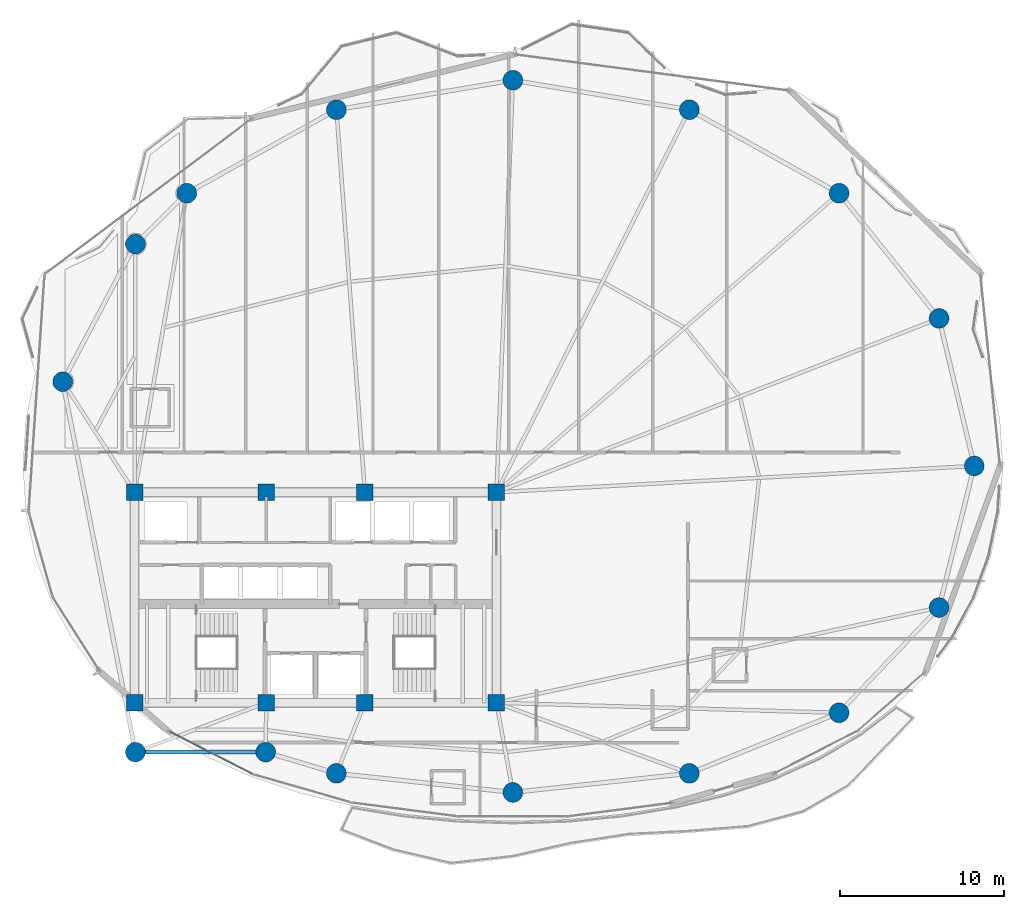
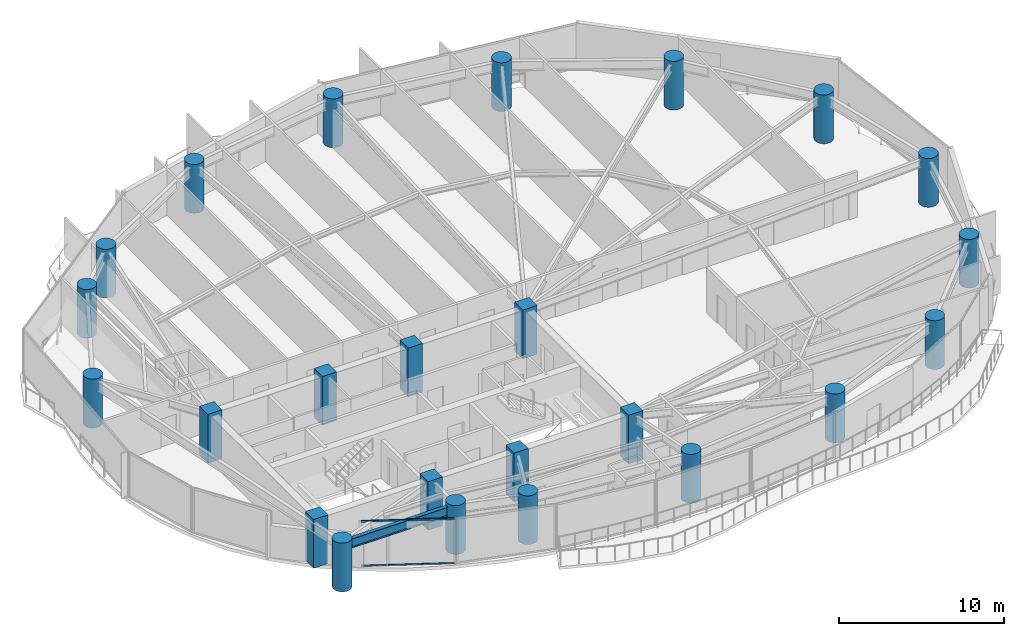
# One storey, part 1 of 31: 24 columns, 2 members, 1 beam, 1 element without a shape of its own.
"""IFC4 building model written with IfcOpenShell, lengths in metres."""

from ifc_helpers import new_model, si_unit, direction, frame, origin, origin_2d, place, context, subcontext, project, spatial, rectangle, hollow_rectangle, circle, i_section, extrude, material, layer, layer_set, material_profile, profile_set, type_object, element, aggregate, save


model = new_model("IFC4")

# Units and contexts
model_context = context("Model", 3, precision=1e-05, world=origin(), true_north=direction((0.0, 1.0)))
body_context = subcontext(model_context, "Body", "Model", "MODEL_VIEW")
ifc_project = project(units=[si_unit("LENGTHUNIT", "METRE"), si_unit("AREAUNIT", "SQUARE_METRE"), si_unit("VOLUMEUNIT", "CUBIC_METRE"), si_unit("PLANEANGLEUNIT", "RADIAN"), si_unit("MASSUNIT", "GRAM", prefix="KILO")], contexts=[model_context])

# Site, building, storey
site_placement = place(None, origin())
site = spatial("IfcSite", under=ifc_project, at=site_placement, CompositionType="ELEMENT")
building_placement = place(site_placement, origin())
building = spatial("IfcBuilding", under=site, at=building_placement, Name="Kazevale Care Tower and Concert Hall", CompositionType="ELEMENT")
storey_placement = place(building_placement, frame((0.0, 0.0, 117.0)))
storey = spatial("IfcBuildingStorey", under=building, at=storey_placement, Name="L30", CompositionType="ELEMENT", Elevation=117.0)

# Columns
ifc_material_1 = material(Name="Concrete C60", Category="concrete")
ifc_material_profile_1 = material_profile(ifc_material_1, rectangle(XDim=1.0, YDim=1.0, at=origin_2d()), Name="RC-SQ1000")
ifc_profile_set_1 = profile_set([ifc_material_profile_1], Name="Concrete C60")
column_type_1 = type_object("IfcColumnType", Name="Core Column SQ1000 C60", PredefinedType="COLUMN", material=ifc_profile_set_1)
for number, where, z_axis, x_axis, name in (
    (1, (22.0, 23.60009765625, 0.0), (0.0, 0.0, 1.0), (1.0, 0.0, 0.0), "col:L30:CC-01"),
    (2, (30.0, 23.60009765625, 0.0), (0.0, 0.0, 1.0), (1.0, 0.0, 0.0), "col:L30:CC-02"),
    (3, (36.0, 23.60009765625, 0.0), (0.0, 0.0, 1.0), (1.0, 0.0, 0.0), "col:L30:CC-03"),
    (4, (44.0, 23.60009765625, 0.0), (0.0, 0.0, 1.0), (1.0, 0.0, 0.0), "col:L30:CC-04"),
    (5, (44.0, 36.39990234375, 0.0), (0.0, 0.0, 1.0), (1.0, 0.0, 0.0), "col:L30:CC-05"),
    (6, (36.0, 36.39990234375, 0.0), (0.0, 0.0, 1.0), (1.0, 0.0, 0.0), "col:L30:CC-06"),
    (7, (30.0, 36.39990234375, 0.0), (0.0, 0.0, 1.0), (1.0, 0.0, 0.0), "col:L30:CC-07"),
    (8, (22.0, 36.39990234375, 0.0), (0.0, 0.0, 1.0), (1.0, 0.0, 0.0), "col:L30:CC-08"),
):
    element("IfcColumn", number, at=place(storey_placement, frame(where, z_axis=z_axis, x_axis=x_axis)), inside=storey, type_object=column_type_1, Name=name, PredefinedType="COLUMN", context=body_context, shape_type="SweptSolid", body=[
        extrude(rectangle(XDim=1.0, YDim=1.0, at=origin_2d()), origin(), (0.0, 0.0, 1.0), 3.60009765625),
    ])
ifc_material_profile_2 = material_profile(ifc_material_1, circle(Radius=0.60009765625, at=origin_2d()), Name="RC-CIR1200")
ifc_profile_set_2 = profile_set([ifc_material_profile_2], Name="Concrete C60")
column_type_2 = type_object("IfcColumnType", Name="Perimeter Column CIR1200 C60", PredefinedType="COLUMN", material=ifc_profile_set_2)
for number, where, z_axis, x_axis, name in (
    (9, (73.050048828125, 38.0, 0.0), (0.0, 0.0, 1.0), (1.0, 0.0, 0.0), "col:L30:PC-01"),
    (10, (70.909912109375, 46.969970703125, 0.0), (0.0, 0.0, 1.0), (1.0, 0.0, 0.0), "col:L30:PC-02"),
    (11, (64.830078125, 54.580078125, 0.0), (0.0, 0.0, 1.0), (1.0, 0.0, 0.0), "col:L30:PC-03"),
    (12, (55.72998046875, 59.659912109375, 0.0), (0.0, 0.0, 1.0), (1.0, 0.0, 0.0), "col:L30:PC-04"),
    (13, (45.0, 61.449951171875, 0.0), (0.0, 0.0, 1.0), (1.0, 0.0, 0.0), "col:L30:PC-05"),
    (14, (34.27001953125, 59.659912109375, 0.0), (0.0, 0.0, 1.0), (1.0, 0.0, 0.0), "col:L30:PC-06"),
    (15, (25.169921875, 54.580078125, 0.0), (0.0, 0.0, 1.0), (1.0, 0.0, 0.0), "col:L30:PC-07"),
    (16, (22.050048828125, 51.489990234375, 0.0), (0.0, 0.0, 1.0), (1.0, 0.0, 0.0), "col:L30:PC-08"),
    (17, (17.6298828125, 43.1201171875, 0.0), (0.0, 0.0, 1.0), (1.0, 0.0, 0.0), "col:L30:PC-09"),
    (18, (22.050048828125, 20.60009765625, 0.0), (0.0, 0.0, 1.0), (1.0, 0.0, 0.0), "col:L30:PC-10"),
    (19, (29.969970703125, 20.60009765625, 0.0), (0.0, 0.0, 1.0), (1.0, 0.0, 0.0), "col:L30:PC-11"),
    (20, (34.27001953125, 19.31005859375, 0.0), (0.0, 0.0, 1.0), (1.0, 0.0, 0.0), "col:L30:PC-12"),
    (21, (45.0, 18.14990234375, 0.0), (0.0, 0.0, 1.0), (1.0, 0.0, 0.0), "col:L30:PC-13"),
    (22, (55.72998046875, 19.31005859375, 0.0), (0.0, 0.0, 1.0), (1.0, 0.0, 0.0), "col:L30:PC-14"),
    (23, (64.830078125, 22.989990234375, 0.0), (0.0, 0.0, 1.0), (1.0, 0.0, 0.0), "col:L30:PC-15"),
    (24, (70.909912109375, 29.389892578125, 0.0), (0.0, 0.0, 1.0), (1.0, 0.0, 0.0), "col:L30:PC-16"),
):
    element("IfcColumn", number, at=place(storey_placement, frame(where, z_axis=z_axis, x_axis=x_axis)), inside=storey, type_object=column_type_2, Name=name, PredefinedType="COLUMN", context=body_context, shape_type="SweptSolid", body=[
        extrude(circle(Radius=0.60009765625, at=origin_2d()), origin(), (0.0, 0.0, 1.0), 3.60009765625),
    ])

# Curtain wall, members
ifc_material_2 = material(Name="Aluminium 6063-T6 and Low-E Glass", Category="aluminium")
ifc_layer = layer(ifc_material_2, 0.179931640625)
ifc_layer_set = layer_set([ifc_layer], Name="Aluminium 6063-T6 and Low-E Glass")
curtain_wall_type = type_object("IfcCurtainWallType", Name="Sheltered Concave Balcony Curtain Wall CW-5", PredefinedType="NOTDEFINED", material=ifc_layer_set)
curtain_wall_placement = place(storey_placement, origin())
curtain_wall = element("IfcCurtainWall", 25, at=curtain_wall_placement, inside=storey, type_object=curtain_wall_type, Name="cw:L30:f09", PredefinedType="NOTDEFINED")
ifc_material_3 = material(Name="Aluminium 6063-T6", Category="aluminium")
ifc_material_profile_3 = material_profile(ifc_material_3, hollow_rectangle(XDim=0.074951171875, YDim=0.1201171875, WallThickness=0.00390625, at=origin_2d()), Name="ALU75x120x4")
ifc_profile_set_3 = profile_set([ifc_material_profile_3], Name="Aluminium 6063-T6")
member_type = type_object("IfcMemberType", Name="CW-5 Transom ALU75x120x4", PredefinedType="USERDEFINED", material=ifc_profile_set_3)
member_1_placement = place(storey_placement, frame((29.144287109375, 19.279296875, 0.03759765625), z_axis=(-0.890142600475, 0.455682072084, 0.0), x_axis=(-0.455682072084, -0.890142600475, 0.0)))
member_1 = element("IfcMember", 26, at=member_1_placement, type_object=member_type, Name="CW-5 transom 1.1", ObjectType="TRANSOM", PredefinedType="USERDEFINED", context=body_context, shape_type="SweptSolid", body=[
    extrude(hollow_rectangle(XDim=0.074951171875, YDim=0.1201171875, WallThickness=0.00390625, at=origin_2d()), origin(), (0.0, 0.0, 1.0), 5.671630859375),
])
member_2_placement = place(storey_placement, frame((29.144287109375, 19.279296875, 3.322509765625), z_axis=(-0.890142600475, 0.455682072084, 0.0), x_axis=(-0.455682072084, -0.890142600475, 0.0)))
member_2 = element("IfcMember", 27, at=member_2_placement, type_object=member_type, Name="CW-5 transom 1.2", ObjectType="TRANSOM", PredefinedType="USERDEFINED", context=body_context, shape_type="SweptSolid", body=[
    extrude(hollow_rectangle(XDim=0.074951171875, YDim=0.1201171875, WallThickness=0.00390625, at=origin_2d()), origin(), (0.0, 0.0, 1.0), 5.671630859375),
])
aggregate(curtain_wall, [member_1, member_2])

# Beam
ifc_material_4 = material(Name="Steel ASTM A572 Gr 50", Category="steel")
ifc_material_profile_4 = material_profile(ifc_material_4, i_section(OverallWidth=0.256103515625, OverallDepth=0.693115234375, WebThickness=0.014404296875, FlangeThickness=0.023681640625, at=origin_2d()), Name="W690x170")
ifc_profile_set_4 = profile_set([ifc_material_profile_4], Name="Steel ASTM A572 Gr 50")
beam_type = type_object("IfcBeamType", Name="Waist Ring Beam W690x170", PredefinedType="BEAM", material=ifc_profile_set_4)
beam_placement = place(storey_placement, frame((22.050048828125, 20.60009765625, 3.013427734375), z_axis=(1.0, 0.0, 0.0), x_axis=(0.0, 1.0, 0.0)))
element("IfcBeam", 28, at=beam_placement, inside=storey, type_object=beam_type, Name="beam:L30:ring:10", PredefinedType="BEAM", context=body_context, shape_type="SweptSolid", body=[
    extrude(i_section(OverallWidth=0.256103515625, OverallDepth=0.693115234375, WebThickness=0.014404296875, FlangeThickness=0.023681640625, at=origin_2d()), origin(), (0.0, 0.0, 1.0), 7.919921875),
])

save(model, "model.ifc")
